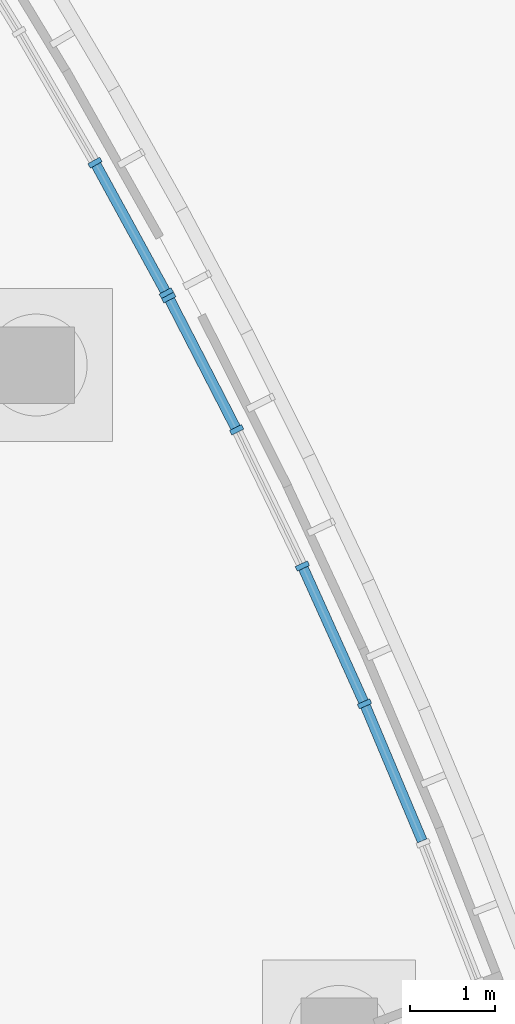
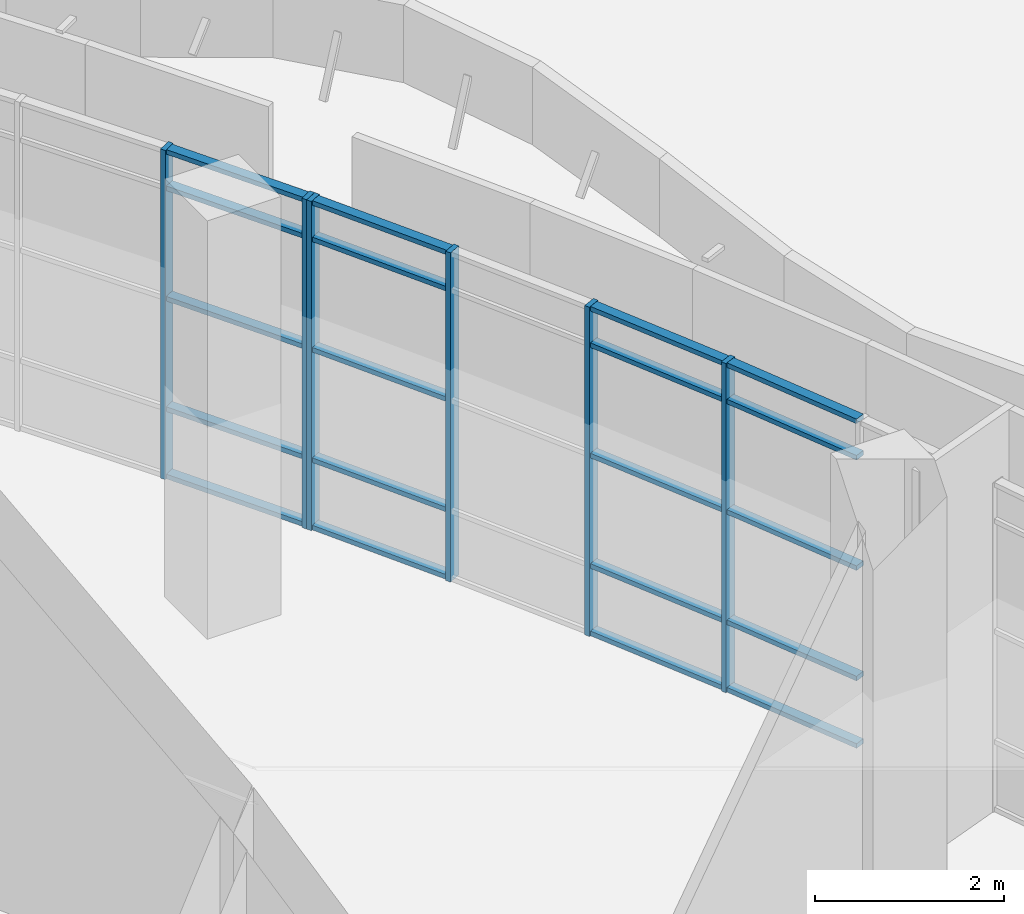
# One storey, part 34 of 146: 26 members, 2 elements without a shape of their own.
"""IFC4 building model written with IfcOpenShell, lengths in metres."""

from ifc_helpers import new_model, si_unit, direction, frame, origin, origin_2d, place, context, subcontext, project, spatial, rectangle, extrude, material, material_profile, profile_set, type_object, element, aggregate, save


model = new_model("IFC4")

# Units and contexts
model_context = context("Model", 3, precision=1e-05, world=origin(), true_north=direction((0.0, 1.0)))
body_context = subcontext(model_context, "Body", "Model", "MODEL_VIEW")
ifc_project = project(units=[si_unit("LENGTHUNIT", "METRE"), si_unit("AREAUNIT", "SQUARE_METRE"), si_unit("VOLUMEUNIT", "CUBIC_METRE"), si_unit("PLANEANGLEUNIT", "RADIAN"), si_unit("MASSUNIT", "GRAM", prefix="KILO")], contexts=[model_context])

# Site, building, storey
site_placement = place(None, origin())
site = spatial("IfcSite", under=ifc_project, at=site_placement, CompositionType="ELEMENT")
building_placement = place(site_placement, origin())
building = spatial("IfcBuilding", under=site, at=building_placement, Name="Bougainvillea Quay General Hospital", CompositionType="ELEMENT")
storey_placement = place(building_placement, origin())
storey = spatial("IfcBuildingStorey", under=building, at=storey_placement, Name="L00", CompositionType="ELEMENT", Elevation=0.0)

# Curtain wall, members
ifc_material_1 = material(Name="Aluminium curtain wall system, powder-coated glazed", Category="aluminium")
curtain_wall_type = type_object("IfcCurtainWallType", Name="Unitised curtain wall CW-2100", PredefinedType="NOTDEFINED", material=ifc_material_1)
curtain_wall_1_placement = place(storey_placement, origin())
curtain_wall_1 = element("IfcCurtainWall", 1, at=curtain_wall_1_placement, inside=storey, type_object=curtain_wall_type, Name="CW-E05 a23b4", PredefinedType="NOTDEFINED")
ifc_material_2 = material(Name="Aluminium mullion, powder-coated charcoal", Category="aluminium")
ifc_material_profile_1 = material_profile(ifc_material_2, rectangle(XDim=0.159912109375, YDim=0.06005859375, at=origin_2d()))
ifc_profile_set_1 = profile_set([ifc_material_profile_1], Name="Aluminium mullion, powder-coated charcoal")
member_type_1 = type_object("IfcMemberType", Name="Curtain wall mullion 160x60", PredefinedType="MULLION", material=ifc_profile_set_1)
member_1_placement = place(storey_placement, frame((169.966064453125, 56.243408203125, 0.0), z_axis=(0.0, 0.0, 1.0), x_axis=(0.871193247428, 0.490940246503, 0.0)))
member_1 = element("IfcMember", 2, at=member_1_placement, type_object=member_type_1, Name="CW-E05 mullion 5", PredefinedType="MULLION", context=body_context, shape_type="SweptSolid", body=[
    extrude(rectangle(XDim=0.159912109375, YDim=0.06005859375, at=origin_2d()), origin(), (0.0, 0.0, 1.0), 4.25),
])
member_2_placement = place(storey_placement, frame((170.805908203125, 54.707763671875, 0.0), z_axis=(0.0, 0.0, 1.0), x_axis=(0.877387439543, 0.479782535044, 0.0)))
member_2 = element("IfcMember", 3, at=member_2_placement, type_object=member_type_1, Name="CW-E05 mullion 6", PredefinedType="MULLION", context=body_context, shape_type="SweptSolid", body=[
    extrude(rectangle(XDim=0.159912109375, YDim=0.06005859375, at=origin_2d()), origin(), (0.0, 0.0, 1.0), 4.25),
])

curtain_wall_2_placement = place(storey_placement, origin())
curtain_wall_2 = element("IfcCurtainWall", 4, at=curtain_wall_2_placement, inside=storey, type_object=curtain_wall_type, Name="CW-E06 a23b5", PredefinedType="NOTDEFINED")
member_3_placement = place(storey_placement, frame((170.833984375, 54.65478515625, 0.0), z_axis=(0.0, 0.0, 1.0), x_axis=(0.889346157599, 0.457234526215, 0.0)))
member_3 = element("IfcMember", 5, at=member_3_placement, type_object=member_type_1, Name="CW-E06 mullion 1", PredefinedType="MULLION", context=body_context, shape_type="SweptSolid", body=[
    extrude(rectangle(XDim=0.159912109375, YDim=0.06005859375, at=origin_2d()), origin(), (0.0, 0.0, 1.0), 4.25),
])
member_4_placement = place(storey_placement, frame((171.63427734375, 53.09814453125, 0.0), z_axis=(0.0, 0.0, 1.0), x_axis=(0.895108735914, 0.445847901072, 0.0)))
member_4 = element("IfcMember", 6, at=member_4_placement, type_object=member_type_1, Name="CW-E06 mullion 2", PredefinedType="MULLION", context=body_context, shape_type="SweptSolid", body=[
    extrude(rectangle(XDim=0.159912109375, YDim=0.06005859375, at=origin_2d()), origin(), (0.0, 0.0, 1.0), 4.25),
])
member_5_placement = place(storey_placement, frame((172.407470703125, 51.49462890625, 0.0), z_axis=(0.0, 0.0, 1.0), x_axis=(0.906195638727, 0.422858681301, 0.0)))
member_5 = element("IfcMember", 7, at=member_5_placement, type_object=member_type_1, Name="CW-E06 mullion 3", PredefinedType="MULLION", context=body_context, shape_type="SweptSolid", body=[
    extrude(rectangle(XDim=0.159912109375, YDim=0.06005859375, at=origin_2d()), origin(), (0.0, 0.0, 1.0), 4.25),
])
member_6_placement = place(storey_placement, frame((173.1396484375, 49.871826171875, 0.0), z_axis=(0.0, 0.0, 1.0), x_axis=(0.916692224279, 0.399594001388, 0.0)))
member_6 = element("IfcMember", 8, at=member_6_placement, type_object=member_type_1, Name="CW-E06 mullion 4", PredefinedType="MULLION", context=body_context, shape_type="SweptSolid", body=[
    extrude(rectangle(XDim=0.159912109375, YDim=0.06005859375, at=origin_2d()), origin(), (0.0, 0.0, 1.0), 4.25),
])

# Member
ifc_material_3 = material(Name="Aluminium transom, powder-coated charcoal", Category="aluminium")
ifc_material_profile_2 = material_profile(ifc_material_3, rectangle(XDim=0.1201171875, YDim=0.06005859375, at=origin_2d()))
ifc_profile_set_2 = profile_set([ifc_material_profile_2], Name="Aluminium transom, powder-coated charcoal")
member_type_2 = type_object("IfcMemberType", Name="Curtain wall transom 120x60", PredefinedType="USERDEFINED", material=ifc_profile_set_2)
member_7_placement = place(storey_placement, frame((169.98046875, 56.217041015625, 0.030029296875), z_axis=(0.479782810498, -0.877387288915, 0.0), x_axis=(0.877387288915, 0.479782810498, 0.0)))
member_7 = element("IfcMember", 9, at=member_7_placement, type_object=member_type_2, Name="CW-E05 transom 5.1", ObjectType="TRANSOM", PredefinedType="USERDEFINED", context=body_context, shape_type="SweptSolid", body=[
    extrude(rectangle(XDim=0.1201171875, YDim=0.06005859375, at=origin_2d()), origin(), (0.0, 0.0, 1.0), 1.6904296875),
])

member_8_placement = place(storey_placement, frame((169.98046875, 56.217041015625, 0.89990234375), z_axis=(0.479782810498, -0.877387288915, 0.0), x_axis=(0.877387288915, 0.479782810498, 0.0)))
member_8 = element("IfcMember", 10, at=member_8_placement, type_object=member_type_2, Name="CW-E05 transom 5.2", ObjectType="TRANSOM", PredefinedType="USERDEFINED", context=body_context, shape_type="SweptSolid", body=[
    extrude(rectangle(XDim=0.1201171875, YDim=0.06005859375, at=origin_2d()), origin(), (0.0, 0.0, 1.0), 1.6904296875),
])

member_9_placement = place(storey_placement, frame((169.98046875, 56.217041015625, 2.324951171875), z_axis=(0.479782810498, -0.877387288915, 0.0), x_axis=(0.877387288915, 0.479782810498, 0.0)))
member_9 = element("IfcMember", 11, at=member_9_placement, type_object=member_type_2, Name="CW-E05 transom 5.3", ObjectType="TRANSOM", PredefinedType="USERDEFINED", context=body_context, shape_type="SweptSolid", body=[
    extrude(rectangle(XDim=0.1201171875, YDim=0.06005859375, at=origin_2d()), origin(), (0.0, 0.0, 1.0), 1.6904296875),
])

member_10_placement = place(storey_placement, frame((169.98046875, 56.217041015625, 3.75), z_axis=(0.479782810498, -0.877387288915, 0.0), x_axis=(0.877387288915, 0.479782810498, 0.0)))
member_10 = element("IfcMember", 12, at=member_10_placement, type_object=member_type_2, Name="CW-E05 transom 5.4", ObjectType="TRANSOM", PredefinedType="USERDEFINED", context=body_context, shape_type="SweptSolid", body=[
    extrude(rectangle(XDim=0.1201171875, YDim=0.06005859375, at=origin_2d()), origin(), (0.0, 0.0, 1.0), 1.6904296875),
])

member_11_placement = place(storey_placement, frame((169.98046875, 56.217041015625, 4.219970703125), z_axis=(0.479782810498, -0.877387288915, 0.0), x_axis=(0.877387288915, 0.479782810498, 0.0)))
member_11 = element("IfcMember", 13, at=member_11_placement, type_object=member_type_2, Name="CW-E05 transom 5.5", ObjectType="TRANSOM", PredefinedType="USERDEFINED", context=body_context, shape_type="SweptSolid", body=[
    extrude(rectangle(XDim=0.1201171875, YDim=0.06005859375, at=origin_2d()), origin(), (0.0, 0.0, 1.0), 1.6904296875),
])

aggregate(curtain_wall_1, [member_1, member_2, member_7, member_8, member_9, member_10, member_11])

member_12_placement = place(storey_placement, frame((170.84765625, 54.6279296875, 0.030029296875), z_axis=(0.457295793511, -0.889314655922, 0.0), x_axis=(0.889314655922, 0.457295793511, 0.0)))
member_12 = element("IfcMember", 14, at=member_12_placement, type_object=member_type_2, Name="CW-E06 transom 1.1", ObjectType="TRANSOM", PredefinedType="USERDEFINED", context=body_context, shape_type="SweptSolid", body=[
    extrude(rectangle(XDim=0.1201171875, YDim=0.06005859375, at=origin_2d()), origin(), (0.0, 0.0, 1.0), 1.690185546875),
])

member_13_placement = place(storey_placement, frame((170.84765625, 54.6279296875, 0.89990234375), z_axis=(0.457295793511, -0.889314655922, 0.0), x_axis=(0.889314655922, 0.457295793511, 0.0)))
member_13 = element("IfcMember", 15, at=member_13_placement, type_object=member_type_2, Name="CW-E06 transom 1.2", ObjectType="TRANSOM", PredefinedType="USERDEFINED", context=body_context, shape_type="SweptSolid", body=[
    extrude(rectangle(XDim=0.1201171875, YDim=0.06005859375, at=origin_2d()), origin(), (0.0, 0.0, 1.0), 1.690185546875),
])

member_14_placement = place(storey_placement, frame((170.84765625, 54.6279296875, 2.324951171875), z_axis=(0.457295793511, -0.889314655922, 0.0), x_axis=(0.889314655922, 0.457295793511, 0.0)))
member_14 = element("IfcMember", 16, at=member_14_placement, type_object=member_type_2, Name="CW-E06 transom 1.3", ObjectType="TRANSOM", PredefinedType="USERDEFINED", context=body_context, shape_type="SweptSolid", body=[
    extrude(rectangle(XDim=0.1201171875, YDim=0.06005859375, at=origin_2d()), origin(), (0.0, 0.0, 1.0), 1.690185546875),
])

member_15_placement = place(storey_placement, frame((170.84765625, 54.6279296875, 3.75), z_axis=(0.457295793511, -0.889314655922, 0.0), x_axis=(0.889314655922, 0.457295793511, 0.0)))
member_15 = element("IfcMember", 17, at=member_15_placement, type_object=member_type_2, Name="CW-E06 transom 1.4", ObjectType="TRANSOM", PredefinedType="USERDEFINED", context=body_context, shape_type="SweptSolid", body=[
    extrude(rectangle(XDim=0.1201171875, YDim=0.06005859375, at=origin_2d()), origin(), (0.0, 0.0, 1.0), 1.690185546875),
])

member_16_placement = place(storey_placement, frame((170.84765625, 54.6279296875, 4.219970703125), z_axis=(0.457295793511, -0.889314655922, 0.0), x_axis=(0.889314655922, 0.457295793511, 0.0)))
member_16 = element("IfcMember", 18, at=member_16_placement, type_object=member_type_2, Name="CW-E06 transom 1.5", ObjectType="TRANSOM", PredefinedType="USERDEFINED", context=body_context, shape_type="SweptSolid", body=[
    extrude(rectangle(XDim=0.1201171875, YDim=0.06005859375, at=origin_2d()), origin(), (0.0, 0.0, 1.0), 1.690185546875),
])

member_17_placement = place(storey_placement, frame((172.419921875, 51.46728515625, 0.030029296875), z_axis=(0.411267298249, -0.911514788356, 0.0), x_axis=(0.911514788356, 0.411267298249, 0.0)))
member_17 = element("IfcMember", 19, at=member_17_placement, type_object=member_type_2, Name="CW-E06 transom 3.1", ObjectType="TRANSOM", PredefinedType="USERDEFINED", context=body_context, shape_type="SweptSolid", body=[
    extrude(rectangle(XDim=0.1201171875, YDim=0.06005859375, at=origin_2d()), origin(), (0.0, 0.0, 1.0), 1.720458984375),
])

member_18_placement = place(storey_placement, frame((172.419921875, 51.46728515625, 0.89990234375), z_axis=(0.411267298249, -0.911514788356, 0.0), x_axis=(0.911514788356, 0.411267298249, 0.0)))
member_18 = element("IfcMember", 20, at=member_18_placement, type_object=member_type_2, Name="CW-E06 transom 3.2", ObjectType="TRANSOM", PredefinedType="USERDEFINED", context=body_context, shape_type="SweptSolid", body=[
    extrude(rectangle(XDim=0.1201171875, YDim=0.06005859375, at=origin_2d()), origin(), (0.0, 0.0, 1.0), 1.720458984375),
])

member_19_placement = place(storey_placement, frame((172.419921875, 51.46728515625, 2.324951171875), z_axis=(0.411267298249, -0.911514788356, 0.0), x_axis=(0.911514788356, 0.411267298249, 0.0)))
member_19 = element("IfcMember", 21, at=member_19_placement, type_object=member_type_2, Name="CW-E06 transom 3.3", ObjectType="TRANSOM", PredefinedType="USERDEFINED", context=body_context, shape_type="SweptSolid", body=[
    extrude(rectangle(XDim=0.1201171875, YDim=0.06005859375, at=origin_2d()), origin(), (0.0, 0.0, 1.0), 1.720458984375),
])

member_20_placement = place(storey_placement, frame((172.419921875, 51.46728515625, 3.75), z_axis=(0.411267298249, -0.911514788356, 0.0), x_axis=(0.911514788356, 0.411267298249, 0.0)))
member_20 = element("IfcMember", 22, at=member_20_placement, type_object=member_type_2, Name="CW-E06 transom 3.4", ObjectType="TRANSOM", PredefinedType="USERDEFINED", context=body_context, shape_type="SweptSolid", body=[
    extrude(rectangle(XDim=0.1201171875, YDim=0.06005859375, at=origin_2d()), origin(), (0.0, 0.0, 1.0), 1.720458984375),
])

member_21_placement = place(storey_placement, frame((172.419921875, 51.46728515625, 4.219970703125), z_axis=(0.411267298249, -0.911514788356, 0.0), x_axis=(0.911514788356, 0.411267298249, 0.0)))
member_21 = element("IfcMember", 23, at=member_21_placement, type_object=member_type_2, Name="CW-E06 transom 3.5", ObjectType="TRANSOM", PredefinedType="USERDEFINED", context=body_context, shape_type="SweptSolid", body=[
    extrude(rectangle(XDim=0.1201171875, YDim=0.06005859375, at=origin_2d()), origin(), (0.0, 0.0, 1.0), 1.720458984375),
])

member_22_placement = place(storey_placement, frame((173.1513671875, 49.84423828125, 0.030029296875), z_axis=(0.387847626956, -0.921723504238, 0.0), x_axis=(0.921723504238, 0.387847626956, 0.0)))
member_22 = element("IfcMember", 24, at=member_22_placement, type_object=member_type_2, Name="CW-E06 transom 4.1", ObjectType="TRANSOM", PredefinedType="USERDEFINED", context=body_context, shape_type="SweptSolid", body=[
    extrude(rectangle(XDim=0.1201171875, YDim=0.06005859375, at=origin_2d()), origin(), (0.0, 0.0, 1.0), 1.720458984375),
])

member_23_placement = place(storey_placement, frame((173.1513671875, 49.84423828125, 0.89990234375), z_axis=(0.387847626956, -0.921723504238, 0.0), x_axis=(0.921723504238, 0.387847626956, 0.0)))
member_23 = element("IfcMember", 25, at=member_23_placement, type_object=member_type_2, Name="CW-E06 transom 4.2", ObjectType="TRANSOM", PredefinedType="USERDEFINED", context=body_context, shape_type="SweptSolid", body=[
    extrude(rectangle(XDim=0.1201171875, YDim=0.06005859375, at=origin_2d()), origin(), (0.0, 0.0, 1.0), 1.720458984375),
])

member_24_placement = place(storey_placement, frame((173.1513671875, 49.84423828125, 2.324951171875), z_axis=(0.387847626956, -0.921723504238, 0.0), x_axis=(0.921723504238, 0.387847626956, 0.0)))
member_24 = element("IfcMember", 26, at=member_24_placement, type_object=member_type_2, Name="CW-E06 transom 4.3", ObjectType="TRANSOM", PredefinedType="USERDEFINED", context=body_context, shape_type="SweptSolid", body=[
    extrude(rectangle(XDim=0.1201171875, YDim=0.06005859375, at=origin_2d()), origin(), (0.0, 0.0, 1.0), 1.720458984375),
])

member_25_placement = place(storey_placement, frame((173.1513671875, 49.84423828125, 3.75), z_axis=(0.387847626956, -0.921723504238, 0.0), x_axis=(0.921723504238, 0.387847626956, 0.0)))
member_25 = element("IfcMember", 27, at=member_25_placement, type_object=member_type_2, Name="CW-E06 transom 4.4", ObjectType="TRANSOM", PredefinedType="USERDEFINED", context=body_context, shape_type="SweptSolid", body=[
    extrude(rectangle(XDim=0.1201171875, YDim=0.06005859375, at=origin_2d()), origin(), (0.0, 0.0, 1.0), 1.720458984375),
])

member_26_placement = place(storey_placement, frame((173.1513671875, 49.84423828125, 4.219970703125), z_axis=(0.387847626956, -0.921723504238, 0.0), x_axis=(0.921723504238, 0.387847626956, 0.0)))
member_26 = element("IfcMember", 28, at=member_26_placement, type_object=member_type_2, Name="CW-E06 transom 4.5", ObjectType="TRANSOM", PredefinedType="USERDEFINED", context=body_context, shape_type="SweptSolid", body=[
    extrude(rectangle(XDim=0.1201171875, YDim=0.06005859375, at=origin_2d()), origin(), (0.0, 0.0, 1.0), 1.720458984375),
])

aggregate(curtain_wall_2, [member_3, member_4, member_5, member_6, member_12, member_13, member_14, member_15, member_16, member_17, member_18, member_19, member_20, member_21, member_22, member_23, member_24, member_25, member_26])

save(model, "model.ifc")
